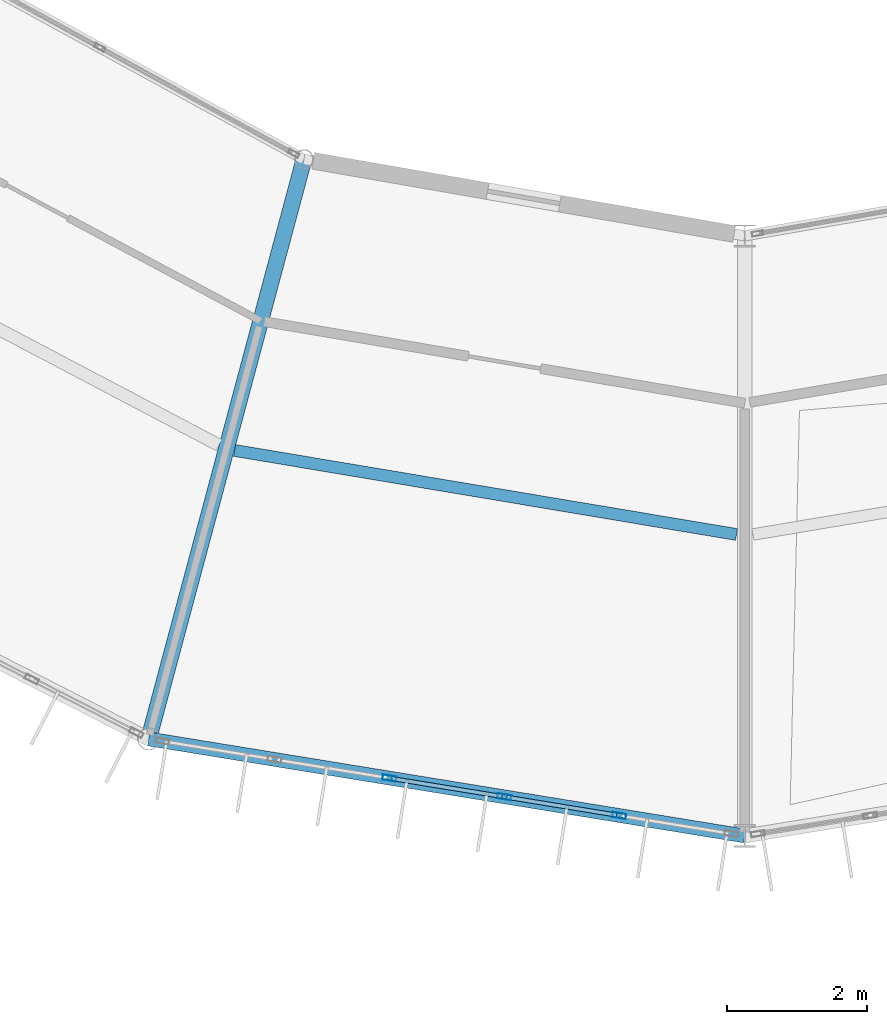
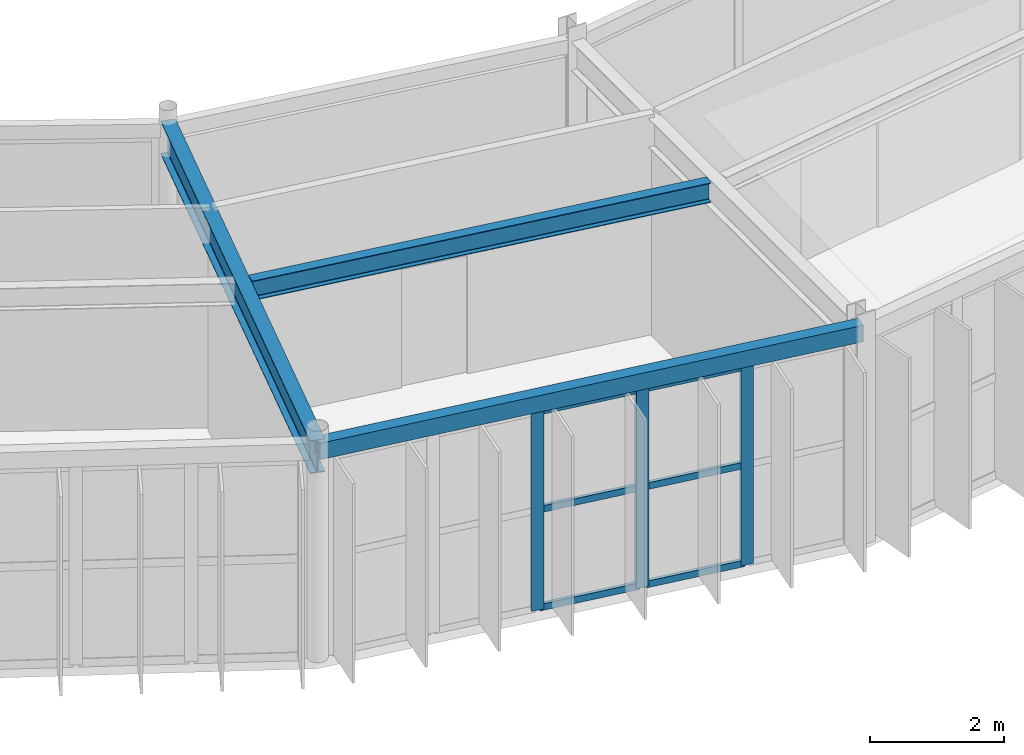
# One storey, part 25 of 147: 9 members, 3 beams, 1 element without a shape of its own.
"""IFC4 building model written with IfcOpenShell, lengths in metres."""

from ifc_helpers import new_model, si_unit, direction, frame, origin, origin_2d, place, context, subcontext, project, spatial, hollow_rectangle, i_section, extrude, material, material_profile, profile_set, type_object, element, aggregate, save


model = new_model("IFC4")

# Units and contexts
model_context = context("Model", 3, precision=1e-05, world=origin(), true_north=direction((0.0, 1.0)))
body_context = subcontext(model_context, "Body", "Model", "MODEL_VIEW")
ifc_project = project(units=[si_unit("LENGTHUNIT", "METRE"), si_unit("AREAUNIT", "SQUARE_METRE"), si_unit("VOLUMEUNIT", "CUBIC_METRE"), si_unit("PLANEANGLEUNIT", "RADIAN"), si_unit("MASSUNIT", "GRAM", prefix="KILO")], contexts=[model_context])

# Site, building, storey
site_placement = place(None, origin())
site = spatial("IfcSite", under=ifc_project, at=site_placement, CompositionType="ELEMENT")
building_placement = place(site_placement, origin())
building = spatial("IfcBuilding", under=site, at=building_placement, Name="Karori Crest Natural Sciences Institute", CompositionType="ELEMENT")
storey_placement = place(building_placement, frame((0.0, 0.0, 9.10009765625)))
storey = spatial("IfcBuildingStorey", under=building, at=storey_placement, Name="L02", CompositionType="ELEMENT", Elevation=9.10009765625)

# Beams
ifc_material_1 = material(Name="Hollow structural steel AS/NZS 1163 Grade C350", Category="steel")
ifc_material_profile_1 = material_profile(ifc_material_1, hollow_rectangle(XDim=0.199951171875, YDim=0.300048828125, WallThickness=0.010009765625, at=origin_2d()), Name="RHS300x200x10")
ifc_profile_set_1 = profile_set([ifc_material_profile_1], Name="Hollow structural steel AS/NZS 1163 Grade C350")
beam_type_1 = type_object("IfcBeamType", Name="BT-15", PredefinedType="SPANDREL", material=ifc_profile_set_1)
beam_1_placement = place(storey_placement, frame((57.85888671875, 10.490234375, 3.789794921875), z_axis=(0.987012055933, -0.160646199591, 0.0), x_axis=(0.160646199591, 0.987012055933, 0.0)))
element("IfcBeam", 1, at=beam_1_placement, inside=storey, type_object=beam_type_1, Name="Beam B-0334", PredefinedType="SPANDREL", context=body_context, shape_type="SweptSolid", body=[
    extrude(hollow_rectangle(XDim=0.199951171875, YDim=0.300048828125, WallThickness=0.010009765625, at=origin_2d()), origin(), (0.0, 0.0, 1.0), 8.6533203125),
])
ifc_material_2 = material(Name="Structural steel AS/NZS 3679.1 Grade 350", Category="steel")
ifc_material_profile_2 = material_profile(ifc_material_2, i_section(OverallWidth=0.22802734375, OverallDepth=0.60205078125, WebThickness=0.010498046875, FlangeThickness=0.014892578125, FilletRadius=0.013916015625, at=origin_2d()), Name="610UB101")
ifc_profile_set_2 = profile_set([ifc_material_profile_2], Name="Structural steel AS/NZS 3679.1 Grade 350")
beam_type_2 = type_object("IfcBeamType", Name="BT-27", PredefinedType="BEAM", material=ifc_profile_set_2)
beam_2_placement = place(storey_placement, frame((60.084716796875, 18.797119140625, 3.638916015625), z_axis=(-0.258819806009, -0.965925622404, 0.0), x_axis=(0.965925622404, -0.258819806009, 0.0)))
element("IfcBeam", 2, at=beam_2_placement, inside=storey, type_object=beam_type_2, Name="Beam B-0336", PredefinedType="BEAM", context=body_context, shape_type="SweptSolid", body=[
    extrude(i_section(OverallWidth=0.22802734375, OverallDepth=0.60205078125, WebThickness=0.010498046875, FlangeThickness=0.014892578125, FilletRadius=0.013916015625, at=origin_2d()), origin(), (0.0, 0.0, 1.0), 8.599853515625),
])
ifc_material_profile_3 = material_profile(ifc_material_2, i_section(OverallWidth=0.1708984375, OverallDepth=0.35595703125, WebThickness=0.00732421875, FlangeThickness=0.011474609375, FilletRadius=0.010986328125, at=origin_2d()), Name="360UB50.7")
ifc_profile_set_3 = profile_set([ifc_material_profile_3], Name="Structural steel AS/NZS 3679.1 Grade 350")
beam_type_3 = type_object("IfcBeamType", Name="BT-30", PredefinedType="BEAM", material=ifc_profile_set_3)
beam_3_placement = place(storey_placement, frame((59.09033203125, 14.623779296875, 3.761962890625), z_axis=(0.986275115433, -0.165110256126, 0.0), x_axis=(0.165110256126, 0.986275115433, 0.0)))
element("IfcBeam", 3, at=beam_3_placement, inside=storey, type_object=beam_type_3, Name="Beam B-0337", PredefinedType="BEAM", context=body_context, shape_type="SweptSolid", body=[
    extrude(i_section(OverallWidth=0.1708984375, OverallDepth=0.35595703125, WebThickness=0.00732421875, FlangeThickness=0.011474609375, FilletRadius=0.010986328125, at=origin_2d()), origin(), (0.0, 0.0, 1.0), 7.291259765625),
])

# Curtain wall, members
ifc_material_3 = material(Name="Anodised architectural aluminium 6063-T6", Category="aluminium")
curtain_wall_type = type_object("IfcCurtainWallType", Name="CWT-08", PredefinedType="NOTDEFINED", material=ifc_material_3)
curtain_wall_placement = place(storey_placement, origin())
curtain_wall = element("IfcCurtainWall", 4, at=curtain_wall_placement, inside=storey, type_object=curtain_wall_type, Name="Curtain wall CW-0090", PredefinedType="NOTDEFINED")
ifc_material_profile_4 = material_profile(ifc_material_3, hollow_rectangle(XDim=0.074951171875, YDim=0.199951171875, WallThickness=0.0048828125, at=origin_2d()), Name="CWM200x75x5")
ifc_profile_set_4 = profile_set([ifc_material_profile_4], Name="Anodised architectural aluminium 6063-T6")
member_type_1 = type_object("IfcMemberType", Name="CWM-02", PredefinedType="MULLION", material=ifc_profile_set_4)
member_1_placement = place(storey_placement, frame((64.6005859375, 9.392822265625, 0.0), z_axis=(0.0, 0.0, 1.0), x_axis=(-0.160651962718, -0.987011117908, 0.0)))
member_1 = element("IfcMember", 5, at=member_1_placement, type_object=member_type_1, Name="CW-0090 mullion 2", PredefinedType="MULLION", context=body_context, shape_type="SweptSolid", body=[
    extrude(hollow_rectangle(XDim=0.074951171875, YDim=0.199951171875, WallThickness=0.0048828125, at=origin_2d()), origin(), (0.0, 0.0, 1.0), 3.625),
])
member_2_placement = place(storey_placement, frame((62.95458984375, 9.660888671875, 0.0), z_axis=(0.0, 0.0, 1.0), x_axis=(-0.160651962718, -0.987011117908, 0.0)))
member_2 = element("IfcMember", 6, at=member_2_placement, type_object=member_type_1, Name="CW-0090 mullion 3", PredefinedType="MULLION", context=body_context, shape_type="SweptSolid", body=[
    extrude(hollow_rectangle(XDim=0.074951171875, YDim=0.199951171875, WallThickness=0.0048828125, at=origin_2d()), origin(), (0.0, 0.0, 1.0), 3.625),
])
member_3_placement = place(storey_placement, frame((61.308837890625, 9.9287109375, 0.0), z_axis=(0.0, 0.0, 1.0), x_axis=(-0.160651962718, -0.987011117908, 0.0)))
member_3 = element("IfcMember", 7, at=member_3_placement, type_object=member_type_1, Name="CW-0090 mullion 4", PredefinedType="MULLION", context=body_context, shape_type="SweptSolid", body=[
    extrude(hollow_rectangle(XDim=0.074951171875, YDim=0.199951171875, WallThickness=0.0048828125, at=origin_2d()), origin(), (0.0, 0.0, 1.0), 3.625),
])
ifc_material_profile_5 = material_profile(ifc_material_3, hollow_rectangle(XDim=0.06005859375, YDim=0.1201171875, WallThickness=0.00390625, at=origin_2d()), Name="CWT120x60x4")
ifc_profile_set_5 = profile_set([ifc_material_profile_5], Name="Anodised architectural aluminium 6063-T6")
member_type_2 = type_object("IfcMemberType", Name="CWT-TR1", PredefinedType="USERDEFINED", material=ifc_profile_set_5)
member_4_placement = place(storey_placement, frame((64.5634765625, 9.39892578125, 0.02978515625), z_axis=(-0.987008400747, 0.16066865548, 0.0), x_axis=(-0.16066865548, -0.987008400747, 0.0)))
member_4 = element("IfcMember", 8, at=member_4_placement, type_object=member_type_2, Name="CW-0090 transom 2.1", ObjectType="TRANSOM", PredefinedType="USERDEFINED", context=body_context, shape_type="SweptSolid", body=[
    extrude(hollow_rectangle(XDim=0.06005859375, YDim=0.1201171875, WallThickness=0.00390625, at=origin_2d()), origin(), (0.0, 0.0, 1.0), 1.592529296875),
])
member_5_placement = place(storey_placement, frame((64.5634765625, 9.39892578125, 1.8125), z_axis=(-0.987008400747, 0.16066865548, 0.0), x_axis=(-0.16066865548, -0.987008400747, 0.0)))
member_5 = element("IfcMember", 9, at=member_5_placement, type_object=member_type_2, Name="CW-0090 transom 2.2", ObjectType="TRANSOM", PredefinedType="USERDEFINED", context=body_context, shape_type="SweptSolid", body=[
    extrude(hollow_rectangle(XDim=0.06005859375, YDim=0.1201171875, WallThickness=0.00390625, at=origin_2d()), origin(), (0.0, 0.0, 1.0), 1.592529296875),
])
member_6_placement = place(storey_placement, frame((64.5634765625, 9.39892578125, 3.594970703125), z_axis=(-0.987008400747, 0.16066865548, 0.0), x_axis=(-0.16066865548, -0.987008400747, 0.0)))
member_6 = element("IfcMember", 10, at=member_6_placement, type_object=member_type_2, Name="CW-0090 transom 2.3", ObjectType="TRANSOM", PredefinedType="USERDEFINED", context=body_context, shape_type="SweptSolid", body=[
    extrude(hollow_rectangle(XDim=0.06005859375, YDim=0.1201171875, WallThickness=0.00390625, at=origin_2d()), origin(), (0.0, 0.0, 1.0), 1.592529296875),
])
member_7_placement = place(storey_placement, frame((62.917724609375, 9.666748046875, 0.02978515625), z_axis=(-0.987012357452, 0.160644347043, 0.0), x_axis=(-0.160644347043, -0.987012357452, 0.0)))
member_7 = element("IfcMember", 11, at=member_7_placement, type_object=member_type_2, Name="CW-0090 transom 3.1", ObjectType="TRANSOM", PredefinedType="USERDEFINED", context=body_context, shape_type="SweptSolid", body=[
    extrude(hollow_rectangle(XDim=0.06005859375, YDim=0.1201171875, WallThickness=0.00390625, at=origin_2d()), origin(), (0.0, 0.0, 1.0), 1.5927734375),
])
member_8_placement = place(storey_placement, frame((62.917724609375, 9.666748046875, 1.8125), z_axis=(-0.987012357452, 0.160644347043, 0.0), x_axis=(-0.160644347043, -0.987012357452, 0.0)))
member_8 = element("IfcMember", 12, at=member_8_placement, type_object=member_type_2, Name="CW-0090 transom 3.2", ObjectType="TRANSOM", PredefinedType="USERDEFINED", context=body_context, shape_type="SweptSolid", body=[
    extrude(hollow_rectangle(XDim=0.06005859375, YDim=0.1201171875, WallThickness=0.00390625, at=origin_2d()), origin(), (0.0, 0.0, 1.0), 1.5927734375),
])
member_9_placement = place(storey_placement, frame((62.917724609375, 9.666748046875, 3.594970703125), z_axis=(-0.987012357452, 0.160644347043, 0.0), x_axis=(-0.160644347043, -0.987012357452, 0.0)))
member_9 = element("IfcMember", 13, at=member_9_placement, type_object=member_type_2, Name="CW-0090 transom 3.3", ObjectType="TRANSOM", PredefinedType="USERDEFINED", context=body_context, shape_type="SweptSolid", body=[
    extrude(hollow_rectangle(XDim=0.06005859375, YDim=0.1201171875, WallThickness=0.00390625, at=origin_2d()), origin(), (0.0, 0.0, 1.0), 1.5927734375),
])
aggregate(curtain_wall, [member_1, member_2, member_3, member_4, member_5, member_6, member_7, member_8, member_9])

save(model, "model.ifc")
